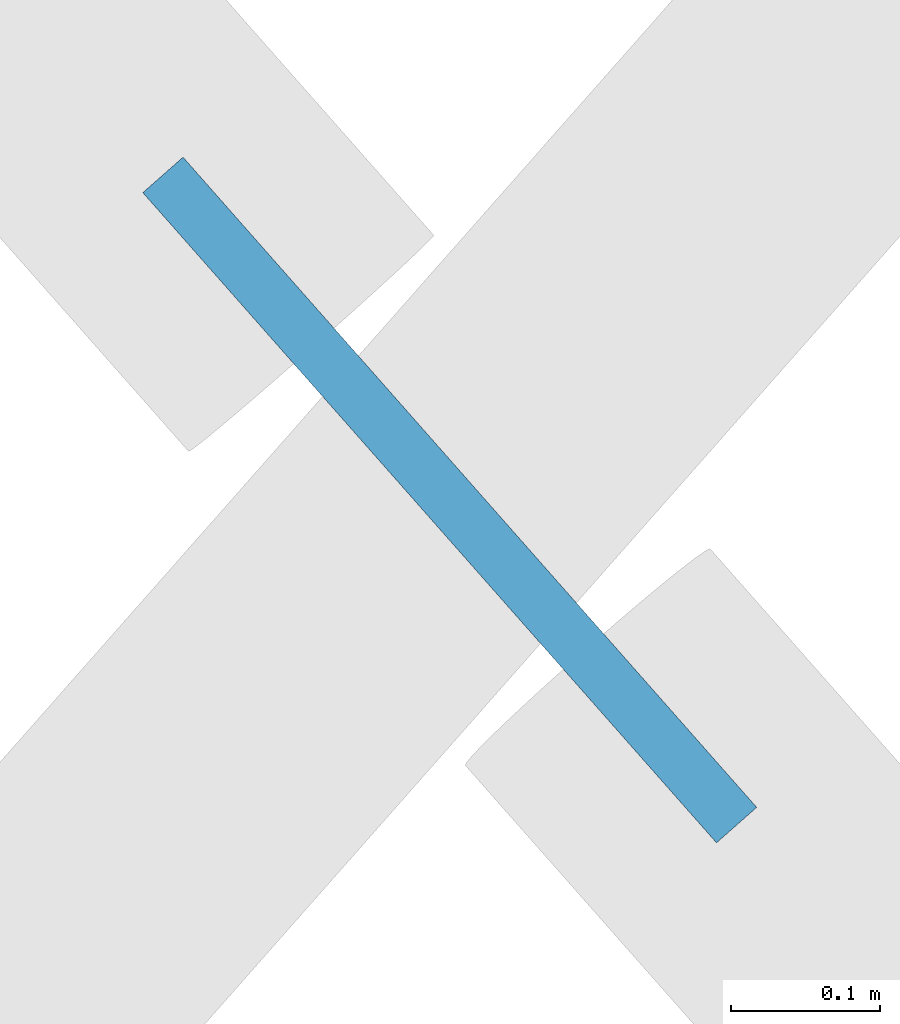
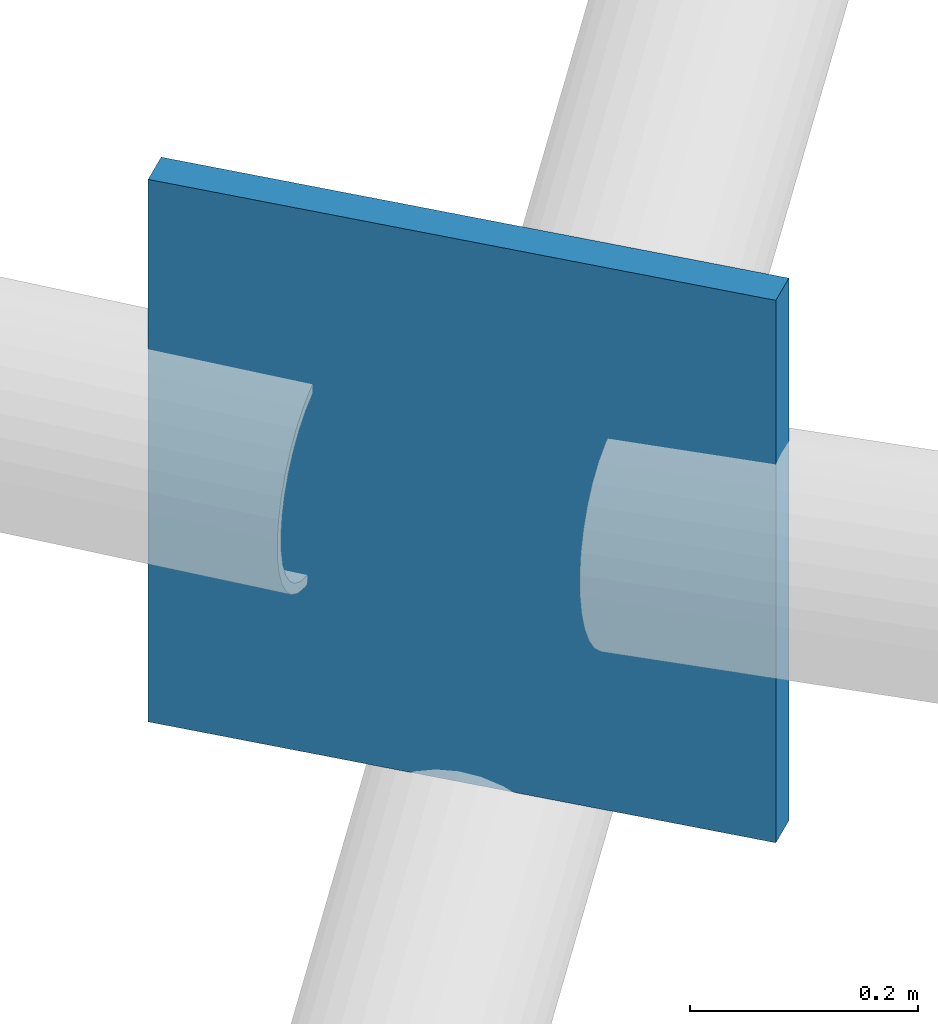
# One storey, part 180 of 224: 1 plate.
"""IFC4 building model written with IfcOpenShell, lengths in metres."""

from ifc_helpers import new_model, si_unit, direction, frame, origin, origin_2d, place, context, subcontext, project, spatial, rectangle, extrude, material, layer, layer_set, type_object, element, save


model = new_model("IFC4")

# Units and contexts
model_context = context("Model", 3, precision=1e-05, world=origin(), true_north=direction((0.0, 1.0)))
body_context = subcontext(model_context, "Body", "Model", "MODEL_VIEW")
ifc_project = project(units=[si_unit("LENGTHUNIT", "METRE"), si_unit("AREAUNIT", "SQUARE_METRE"), si_unit("VOLUMEUNIT", "CUBIC_METRE"), si_unit("PLANEANGLEUNIT", "RADIAN"), si_unit("MASSUNIT", "GRAM", prefix="KILO")], contexts=[model_context])

# Site, building, storey
site_placement = place(None, origin())
site = spatial("IfcSite", under=ifc_project, at=site_placement, CompositionType="ELEMENT")
building_placement = place(site_placement, origin())
building = spatial("IfcBuilding", under=site, at=building_placement, Name="Qamarlyn Nura Convention Centre", CompositionType="ELEMENT")
storey_placement = place(building_placement, frame((0.0, 0.0, 10.800048828125)))
storey = spatial("IfcBuildingStorey", under=building, at=storey_placement, Name="L02", CompositionType="ELEMENT", Elevation=10.800048828125)

# Plate
ifc_material = material(Name="Structural steel ASTM A572 Grade 50", Category="steel")
ifc_layer = layer(ifc_material, 0.035888671875, Name="GP-SN1")
ifc_layer_set = layer_set([ifc_layer], Name="Structural steel ASTM A572 Grade 50")
plate_type = type_object("IfcPlateType", Name="GP-SN1", PredefinedType="USERDEFINED", material=ifc_layer_set)
plate_placement = place(storey_placement, frame((112.5, 26.5, 4.521728515625), z_axis=(0.0, 0.0, 1.0), x_axis=(-0.661622086957, 0.749837458421, 0.0)))
element("IfcPlate", 1, at=plate_placement, inside=storey, type_object=plate_type, Name="Space frame X-brace crossing gusset plate 9-2", ObjectType="GUSSET PLATE", PredefinedType="USERDEFINED", context=body_context, shape_type="SweptSolid", body=[
    extrude(rectangle(XDim=0.580078125, YDim=0.035888671875, at=origin_2d()), origin(), (0.0, 0.0, 1.0), 0.580078125),
])

save(model, "model.ifc")
